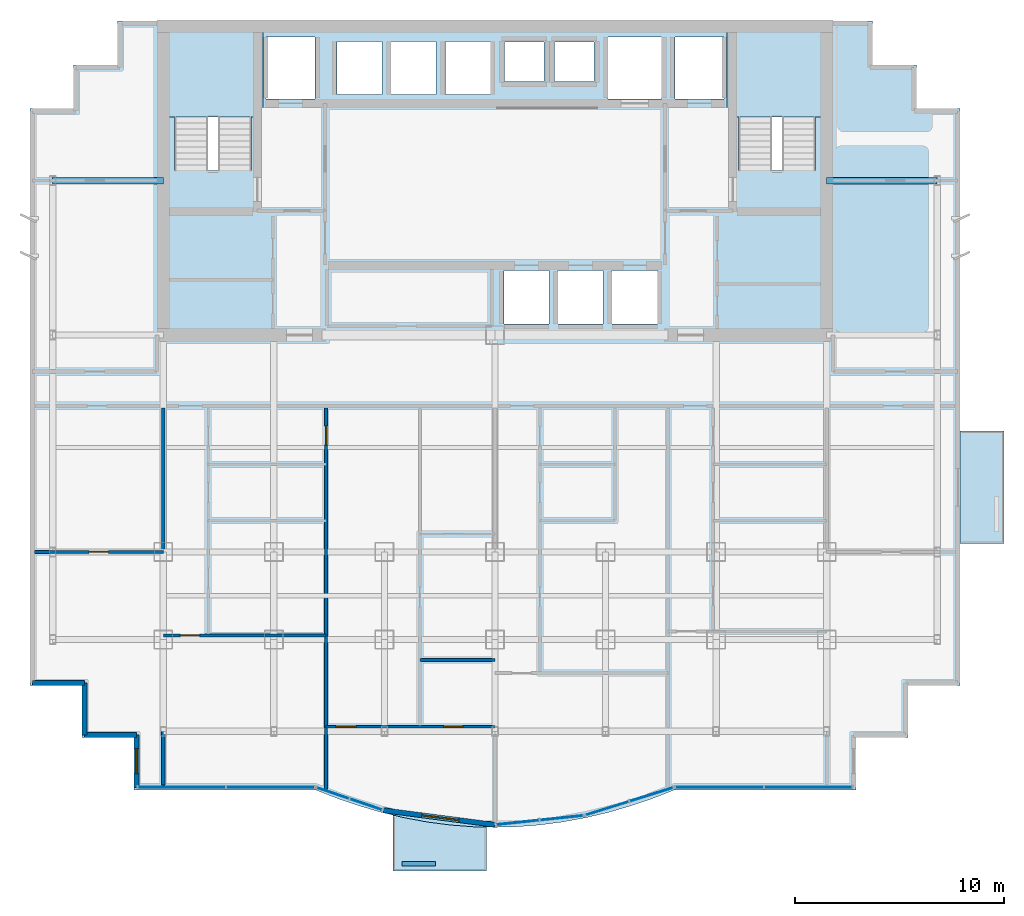
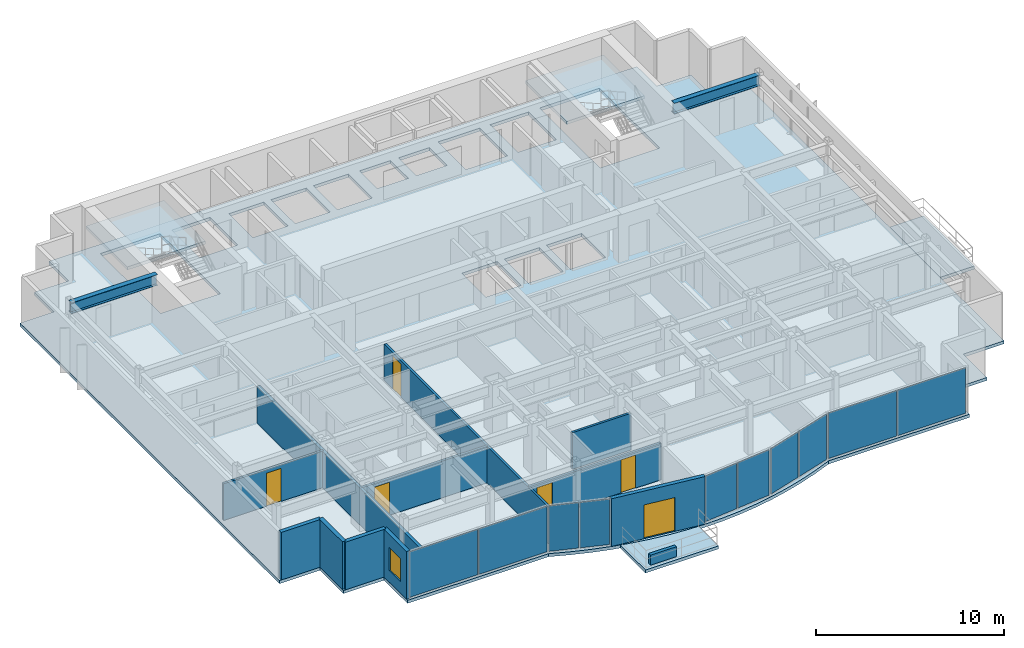
# One storey, part 5 of 11: 12 walls, 10 plates, 6 doors, 5 slabs, 2 beams, 1 window, 7 openings, 7 elements without a shape of their own.
"""IFC4 building model written with IfcOpenShell, lengths in metres."""

from ifc_helpers import new_model, si_unit, direction, frame, frame_2d, origin, origin_2d, place, context, subcontext, project, spatial, polyline, rectangle, i_section, outline, extrude, source, transform, mapped, material, layer, layer_set, material_profile, profile_set, type_object, element, fill, aggregate, save


model = new_model("IFC4")

# Units and contexts
model_context = context("Model", 3, precision=1e-05, world=origin(), true_north=direction((0.0, 1.0)))
body_context = subcontext(model_context, "Body", "Model", "MODEL_VIEW")
ifc_project = project(units=[si_unit("LENGTHUNIT", "METRE"), si_unit("AREAUNIT", "SQUARE_METRE"), si_unit("VOLUMEUNIT", "CUBIC_METRE"), si_unit("PLANEANGLEUNIT", "RADIAN"), si_unit("MASSUNIT", "GRAM", prefix="KILO")], contexts=[model_context])

# Site, building, storey
site_placement = place(None, origin())
site = spatial("IfcSite", under=ifc_project, at=site_placement, CompositionType="ELEMENT")
building_placement = place(site_placement, origin())
building = spatial("IfcBuilding", under=site, at=building_placement, Name="Qianlan Lanfeng Residences", CompositionType="ELEMENT")
storey_placement = place(building_placement, frame((0.0, 0.0, 149.10009765625)))
storey = spatial("IfcBuildingStorey", under=building, at=storey_placement, Name="L40", CompositionType="ELEMENT", Elevation=149.10009765625)

# Beams
ifc_material_1 = material(Name="Steel SN490B", Category="steel")
ifc_material_profile = material_profile(ifc_material_1, i_section(OverallWidth=0.300048828125, OverallDepth=0.699951171875, WebThickness=0.012939453125, FlangeThickness=0.02392578125, at=origin_2d()), Name="H 700x300x13x24")
ifc_profile_set = profile_set([ifc_material_profile], Name="Steel SN490B")
beam_type = type_object("IfcBeamType", Name="G-750", PredefinedType="BEAM", material=ifc_profile_set)
for number, where, z_axis, x_axis, name in (
    (1, (5.300048828125, 32.60009765625, 2.75), (1.0, 0.0, 0.0), (0.0, 1.0, 0.0), "Structural beam G-750"),
    (2, (42.39990234375, 32.60009765625, 2.75), (1.0, 0.0, 0.0), (0.0, 1.0, 0.0), "Structural beam G-750"),
):
    element("IfcBeam", number, at=place(storey_placement, frame(where, z_axis=z_axis, x_axis=x_axis)), inside=storey, type_object=beam_type, Name=name, PredefinedType="BEAM", context=body_context, shape_type="SweptSolid", body=[
        extrude(i_section(OverallWidth=0.300048828125, OverallDepth=0.699951171875, WebThickness=0.012939453125, FlangeThickness=0.02392578125, at=origin_2d()), origin(), (0.0, 0.0, 1.0), 5.300048828125),
    ])

# Slabs
ifc_material_2 = material(Name="Concrete C42", Category="concrete")
ifc_layer_1 = layer(ifc_material_2, 0.199951171875)
ifc_layer_set_1 = layer_set([ifc_layer_1], Name="Concrete C42")
slab_type_1 = type_object("IfcSlabType", Name="S-BAL-200", PredefinedType="FLOOR", material=ifc_layer_set_1)
slab_1_placement = place(storey_placement, frame((0.0, 0.0, -0.2001953125)))
element("IfcSlab", 3, at=slab_1_placement, inside=storey, type_object=slab_type_1, Name="L40 Planted Tree Balcony Slab SB-C", PredefinedType="FLOOR", context=body_context, shape_type="SweptSolid", body=[
    extrude(outline(polyline([(26.10009765625, 1.610107421875), (25.422119140625, 1.6279296875), (24.344970703125, 1.712890625), (23.26708984375, 1.85302734375), (22.18994140625, 2.050048828125), (21.60009765625, 2.18798828125), (21.60009765625, -0.5), (26.10009765625, -0.5), (26.10009765625, 1.610107421875)])), origin(), (0.0, 0.0, 1.0), 0.2001953125),
])
slab_2_placement = place(storey_placement, frame((0.0, 0.0, -0.2001953125)))
element("IfcSlab", 4, at=slab_2_placement, inside=storey, type_object=slab_type_1, Name="L40 Planted Tree Balcony Slab EB-S", PredefinedType="FLOOR", context=body_context, shape_type="SweptSolid", body=[
    extrude(outline(polyline([(48.800048828125, 20.60009765625), (48.800048828125, 15.199951171875), (50.89990234375, 15.199951171875), (50.89990234375, 20.60009765625), (48.800048828125, 20.60009765625)])), origin(), (0.0, 0.0, 1.0), 0.2001953125),
])
ifc_layer_2 = layer(ifc_material_2, 0.199951171875)
ifc_layer_set_2 = layer_set([ifc_layer_2], Name="Concrete C42")
slab_type_2 = type_object("IfcSlabType", Name="S-FL-200", PredefinedType="FLOOR", material=ifc_layer_set_2)
slab_3_placement = place(storey_placement, frame((0.0, 0.0, -0.2001953125)))
element("IfcSlab", 5, at=slab_3_placement, inside=storey, type_object=slab_type_2, Name="L40 Structural Floor Slab", PredefinedType="FLOOR", context=body_context, shape_type="SweptSolid", body=[
    extrude(outline(polyline([(4.199951171875, 8.39990234375), (6.699951171875, 8.39990234375), (6.699951171875, 5.89990234375), (9.199951171875, 5.89990234375), (9.199951171875, 3.39990234375), (17.8798828125, 3.39990234375), (18.95703125, 2.97802734375), (20.034912109375, 2.612060546875), (21.112060546875, 2.302978515625), (22.18994140625, 2.050048828125), (23.26708984375, 1.85302734375), (24.344970703125, 1.712890625), (25.422119140625, 1.6279296875), (26.5, 1.60009765625), (27.577880859375, 1.6279296875), (28.655029296875, 1.7119140625), (29.73193359375, 1.85302734375), (30.81005859375, 2.050048828125), (31.886962890625, 2.302978515625), (32.965087890625, 2.612060546875), (34.0419921875, 2.97802734375), (35.1201171875, 3.39990234375), (43.800048828125, 3.39990234375), (43.800048828125, 5.89990234375), (46.300048828125, 5.89990234375), (46.300048828125, 8.39990234375), (48.800048828125, 8.39990234375), (48.800048828125, 36.050048828125), (46.699951171875, 36.050048828125), (46.699951171875, 38.14990234375), (44.60009765625, 38.14990234375), (44.60009765625, 40.25), (8.39990234375, 40.25), (8.39990234375, 38.14990234375), (6.300048828125, 38.14990234375), (6.300048828125, 36.050048828125), (4.199951171875, 36.050048828125), (4.199951171875, 8.39990234375)]), holes=[polyline([(11.139892578125, 33.080078125), (11.139892578125, 39.5), (14.820068359375, 39.5), (14.820068359375, 33.080078125), (11.139892578125, 33.080078125)]), polyline([(38.179931640625, 33.080078125), (38.179931640625, 39.5), (41.860107421875, 39.5), (41.860107421875, 33.080078125), (38.179931640625, 33.080078125)]), polyline([(15.52001953125, 36.52001953125), (15.52001953125, 39.47998046875), (17.8798828125, 39.47998046875), (17.8798828125, 36.52001953125), (15.52001953125, 36.52001953125)]), polyline([(35.1201171875, 36.52001953125), (35.1201171875, 39.47998046875), (37.47998046875, 39.47998046875), (37.47998046875, 36.52001953125), (35.1201171875, 36.52001953125)]), polyline([(31.919921875, 36.52001953125), (31.919921875, 39.47998046875), (34.47998046875, 39.47998046875), (34.47998046875, 36.52001953125), (31.919921875, 36.52001953125)]), polyline([(26.919921875, 25.719970703125), (26.919921875, 28.280029296875), (29.080078125, 28.280029296875), (29.080078125, 25.719970703125), (26.919921875, 25.719970703125)]), polyline([(29.52001953125, 25.719970703125), (29.52001953125, 28.280029296875), (31.679931640625, 28.280029296875), (31.679931640625, 25.719970703125), (29.52001953125, 25.719970703125)]), polyline([(32.1201171875, 25.719970703125), (32.1201171875, 28.280029296875), (34.280029296875, 28.280029296875), (34.280029296875, 25.719970703125), (32.1201171875, 25.719970703125)]), polyline([(18.919921875, 36.719970703125), (18.919921875, 39.280029296875), (21.080078125, 39.280029296875), (21.080078125, 36.719970703125), (18.919921875, 36.719970703125)]), polyline([(21.52001953125, 36.719970703125), (21.52001953125, 39.280029296875), (23.679931640625, 39.280029296875), (23.679931640625, 36.719970703125), (21.52001953125, 36.719970703125)]), polyline([(24.1201171875, 36.719970703125), (24.1201171875, 39.280029296875), (26.280029296875, 39.280029296875), (26.280029296875, 36.719970703125), (24.1201171875, 36.719970703125)]), polyline([(26.949951171875, 37.35009765625), (26.949951171875, 39.25), (28.85009765625, 39.25), (28.85009765625, 37.35009765625), (26.949951171875, 37.35009765625)]), polyline([(29.35009765625, 37.35009765625), (29.35009765625, 39.25), (31.25, 39.25), (31.25, 37.35009765625), (29.35009765625, 37.35009765625)])]), origin(), (0.0, 0.0, 1.0), 0.2001953125),
])

# Stair, slab
stair_type = type_object("IfcStairType", Name="STR-MAIN", PredefinedType="HALF_TURN_STAIR", material=ifc_material_2)
stair_1_placement = place(storey_placement, origin())
stair_1 = element("IfcStair", 6, at=stair_1_placement, inside=storey, type_object=stair_type, Name="L40 Exit Stair ST-1", PredefinedType="HALF_TURN_STAIR")
ifc_layer_3 = layer(ifc_material_2, 0.179931640625)
ifc_layer_set_3 = layer_set([ifc_layer_3], Name="Concrete C42")
slab_type_3 = type_object("IfcSlabType", Name="S-LND-180", PredefinedType="LANDING", material=ifc_layer_set_3)
slab_4_placement = place(storey_placement, frame((0.0, 0.0, 1.449951171875)))
slab_4 = element("IfcSlab", 7, at=slab_4_placement, type_object=slab_type_3, Name="ST-1 landing 1", PredefinedType="LANDING", context=body_context, shape_type="SweptSolid", body=[
    extrude(outline(polyline([(10.580078125, 35.659912109375), (15.3798828125, 35.659912109375), (15.3798828125, 40.050048828125), (10.580078125, 40.050048828125), (10.580078125, 35.659912109375)])), origin(), (0.0, 0.0, 1.0), 0.199951171875),
])
aggregate(stair_1, [slab_4])

stair_2_placement = place(storey_placement, origin())
stair_2 = element("IfcStair", 8, at=stair_2_placement, inside=storey, type_object=stair_type, Name="L40 Exit Stair ST-2", PredefinedType="HALF_TURN_STAIR")
slab_5_placement = place(storey_placement, frame((0.0, 0.0, 1.449951171875)))
slab_5 = element("IfcSlab", 9, at=slab_5_placement, type_object=slab_type_3, Name="ST-2 landing 1", PredefinedType="LANDING", context=body_context, shape_type="SweptSolid", body=[
    extrude(outline(polyline([(37.6201171875, 35.659912109375), (42.419921875, 35.659912109375), (42.419921875, 40.050048828125), (37.6201171875, 40.050048828125), (37.6201171875, 35.659912109375)])), origin(), (0.0, 0.0, 1.0), 0.199951171875),
])
aggregate(stair_2, [slab_5])

# Curtain wall, plates
ifc_material_3 = material(Name="Anodised Bronze Aluminium 6063-T6", Category="aluminium")
ifc_layer_4 = layer(ifc_material_3, 0.219970703125)
ifc_layer_set_4 = layer_set([ifc_layer_4], Name="Anodised Bronze Aluminium 6063-T6")
curtain_wall_type = type_object("IfcCurtainWallType", Name="CW-04", PredefinedType="NOTDEFINED", material=ifc_layer_set_4)
curtain_wall_1_placement = place(storey_placement, origin())
curtain_wall_1 = element("IfcCurtainWall", 10, at=curtain_wall_1_placement, inside=storey, type_object=curtain_wall_type, Name="L40 Unitised Curtain Wall CWR-L40-01 (CW-04)", PredefinedType="NOTDEFINED")
ifc_material_4 = material(Name="Dark Bronze Tinted Insulated Glass", Category="glass")
ifc_layer_5 = layer(ifc_material_4, 0.0380859375)
ifc_layer_set_5 = layer_set([ifc_layer_5], Name="Dark Bronze Tinted Insulated Glass")
plate_type_1 = type_object("IfcPlateType", Name="PNL-GLZ-BRZ", PredefinedType="CURTAIN_PANEL", material=ifc_layer_set_5)
shared_shape_1 = source(origin(), body_context, "Body", "SweptSolid", [
    extrude(rectangle(XDim=4.180908203125, YDim=0.0380859375, at=origin_2d()), origin(), (0.0, 0.0, 1.0), 2.951904296875),
])
plate_1_placement = place(storey_placement, frame((11.484619140625, 3.52001953125, 0.07373046875), z_axis=(0.0, 0.0, 1.0), x_axis=(1.0, 0.0, 0.0)))
plate_1 = element("IfcPlate", 11, at=plate_1_placement, type_object=plate_type_1, Name="CWR-L40-01 Curtain Panel 1", PredefinedType="CURTAIN_PANEL", context=body_context, shape_type="MappedRepresentation", body=[
    mapped(shared_shape_1, transform((0.0, 0.0, 0.0), scale=1.0)),
])
plate_2_placement = place(storey_placement, frame((15.738525390625, 3.52001953125, 0.07373046875), z_axis=(0.0, 0.0, 1.0), x_axis=(1.0, 0.0, 0.0)))
plate_2 = element("IfcPlate", 12, at=plate_2_placement, type_object=plate_type_1, Name="CWR-L40-01 Curtain Panel 2", PredefinedType="CURTAIN_PANEL", context=body_context, shape_type="MappedRepresentation", body=[
    mapped(shared_shape_1, transform((0.0, 0.0, 0.0), scale=1.0)),
])
aggregate(curtain_wall_1, [plate_1, plate_2])

curtain_wall_2_placement = place(storey_placement, origin())
curtain_wall_2 = element("IfcCurtainWall", 13, at=curtain_wall_2_placement, inside=storey, type_object=curtain_wall_type, Name="L40 Unitised Curtain Wall CWR-L40-05 (CW-04)", PredefinedType="NOTDEFINED")
plate_3_placement = place(storey_placement, frame((37.261474609375, 3.52001953125, 0.07373046875), z_axis=(0.0, 0.0, 1.0), x_axis=(1.0, 0.0, 0.0)))
plate_3 = element("IfcPlate", 14, at=plate_3_placement, type_object=plate_type_1, Name="CWR-L40-05 Curtain Panel 1", PredefinedType="CURTAIN_PANEL", context=body_context, shape_type="MappedRepresentation", body=[
    mapped(shared_shape_1, transform((0.0, 0.0, 0.0), scale=1.0)),
])
plate_4_placement = place(storey_placement, frame((41.515380859375, 3.52001953125, 0.07373046875), z_axis=(0.0, 0.0, 1.0), x_axis=(1.0, 0.0, 0.0)))
plate_4 = element("IfcPlate", 15, at=plate_4_placement, type_object=plate_type_1, Name="CWR-L40-05 Curtain Panel 2", PredefinedType="CURTAIN_PANEL", context=body_context, shape_type="MappedRepresentation", body=[
    mapped(shared_shape_1, transform((0.0, 0.0, 0.0), scale=1.0)),
])
aggregate(curtain_wall_2, [plate_3, plate_4])

curtain_wall_3_placement = place(storey_placement, origin())
curtain_wall_3 = element("IfcCurtainWall", 16, at=curtain_wall_3_placement, inside=storey, type_object=curtain_wall_type, Name="L40 Unitised Curtain Wall CWR-L40-02 (CW-04)", PredefinedType="NOTDEFINED")
shared_shape_2 = source(origin(), body_context, "Body", "SweptSolid", [
    extrude(rectangle(XDim=1.60009765625, YDim=0.0380859375, at=origin_2d()), origin(), (0.0, 0.0, 1.0), 2.951904296875),
])
plate_5_placement = place(storey_placement, frame((18.73046875, 3.23876953125, 0.07373046875), z_axis=(0.0, 0.0, 1.0), x_axis=(0.946795963885, -0.321834433787, 0.0)))
plate_5 = element("IfcPlate", 17, at=plate_5_placement, type_object=plate_type_1, Name="CWR-L40-02 Curtain Panel 1", PredefinedType="CURTAIN_PANEL", context=body_context, shape_type="MappedRepresentation", body=[
    mapped(shared_shape_2, transform((0.0, 0.0, 0.0), scale=1.0)),
])
ifc_material_5 = material(Name="Perforated Champagne Gold Aluminium Panel", Category="aluminium")
ifc_layer_6 = layer(ifc_material_5, 0.0400390625)
ifc_layer_set_6 = layer_set([ifc_layer_6], Name="Perforated Champagne Gold Aluminium Panel")
plate_type_2 = type_object("IfcPlateType", Name="PNL-PRF-GLD", PredefinedType="CURTAIN_PANEL", material=ifc_layer_set_6)
shared_shape_3 = source(origin(), body_context, "Body", "SweptSolid", [
    extrude(rectangle(XDim=1.60009765625, YDim=0.0400390625, at=origin_2d()), origin(), (0.0, 0.0, 1.0), 2.951904296875),
])
plate_6_placement = place(storey_placement, frame((20.314453125, 2.7001953125, 0.07373046875), z_axis=(0.0, 0.0, 1.0), x_axis=(0.946795963885, -0.321834433787, 0.0)))
plate_6 = element("IfcPlate", 18, at=plate_6_placement, type_object=plate_type_2, Name="CWR-L40-02 Curtain Panel 2", PredefinedType="CURTAIN_PANEL", context=body_context, shape_type="MappedRepresentation", body=[
    mapped(shared_shape_3, transform((0.0, 0.0, 0.0), scale=1.0)),
])
aggregate(curtain_wall_3, [plate_5, plate_6])

curtain_wall_4_placement = place(storey_placement, origin())
curtain_wall_4 = element("IfcCurtainWall", 19, at=curtain_wall_4_placement, inside=storey, type_object=curtain_wall_type, Name="L40 Unitised Curtain Wall CWR-L40-03 (CW-04)", PredefinedType="NOTDEFINED")
shared_shape_4 = source(origin(), body_context, "Body", "SweptSolid", [
    extrude(rectangle(XDim=2.043701171875, YDim=0.0380859375, at=origin_2d()), origin(), (0.0, 0.0, 1.0), 2.951904296875),
])
plate_7_placement = place(storey_placement, frame((27.58984375, 1.833984375, 0.07373046875), z_axis=(0.0, 0.0, 1.0), x_axis=(0.994579031105, 0.103983416397, 0.0)))
plate_7 = element("IfcPlate", 20, at=plate_7_placement, type_object=plate_type_1, Name="CWR-L40-03 Curtain Panel 1", PredefinedType="CURTAIN_PANEL", context=body_context, shape_type="MappedRepresentation", body=[
    mapped(shared_shape_4, transform((0.0, 0.0, 0.0), scale=1.0)),
])
plate_8_placement = place(storey_placement, frame((29.695068359375, 2.05419921875, 0.07373046875), z_axis=(0.0, 0.0, 1.0), x_axis=(0.994579031105, 0.103983416397, 0.0)))
plate_8 = element("IfcPlate", 21, at=plate_8_placement, type_object=plate_type_1, Name="CWR-L40-03 Curtain Panel 2", PredefinedType="CURTAIN_PANEL", context=body_context, shape_type="MappedRepresentation", body=[
    mapped(shared_shape_4, transform((0.0, 0.0, 0.0), scale=1.0)),
])
aggregate(curtain_wall_4, [plate_7, plate_8])

curtain_wall_5_placement = place(storey_placement, origin())
curtain_wall_5 = element("IfcCurtainWall", 22, at=curtain_wall_5_placement, inside=storey, type_object=curtain_wall_type, Name="L40 Unitised Curtain Wall CWR-L40-04 (CW-04)", PredefinedType="NOTDEFINED")
shared_shape_5 = source(origin(), body_context, "Body", "SweptSolid", [
    extrude(rectangle(XDim=2.14892578125, YDim=0.0380859375, at=origin_2d()), origin(), (0.0, 0.0, 1.0), 2.951904296875),
])
plate_9_placement = place(storey_placement, frame((31.880859375, 2.51171875, 0.07373046875), z_axis=(0.0, 0.0, 1.0), x_axis=(0.954195954421, 0.299182353367, 0.0)))
plate_9 = element("IfcPlate", 23, at=plate_9_placement, type_object=plate_type_1, Name="CWR-L40-04 Curtain Panel 1", PredefinedType="CURTAIN_PANEL", context=body_context, shape_type="MappedRepresentation", body=[
    mapped(shared_shape_5, transform((0.0, 0.0, 0.0), scale=1.0)),
])
shared_shape_6 = source(origin(), body_context, "Body", "SweptSolid", [
    extrude(rectangle(XDim=2.14892578125, YDim=0.0400390625, at=origin_2d()), origin(), (0.0, 0.0, 1.0), 2.951904296875),
])
plate_10_placement = place(storey_placement, frame((34.001220703125, 3.176513671875, 0.07373046875), z_axis=(0.0, 0.0, 1.0), x_axis=(0.954195954421, 0.299182353367, 0.0)))
plate_10 = element("IfcPlate", 24, at=plate_10_placement, type_object=plate_type_2, Name="CWR-L40-04 Curtain Panel 2", PredefinedType="CURTAIN_PANEL", context=body_context, shape_type="MappedRepresentation", body=[
    mapped(shared_shape_6, transform((0.0, 0.0, 0.0), scale=1.0)),
])
aggregate(curtain_wall_5, [plate_9, plate_10])

# Walls
ifc_layer_7 = layer(ifc_material_2, 0.239990234375)
ifc_layer_set_7 = layer_set([ifc_layer_7], Name="Concrete C42")
wall_type_1 = type_object("IfcWallType", Name="EW-240", PredefinedType="SOLIDWALL", material=ifc_layer_set_7)
for number, where, z_axis, x_axis, name in (
    (25, (4.320068359375, 8.52001953125, 0.0), (0.0, 0.0, 1.0), (1.0, 0.0, 0.0), "L40 Exterior Facade Spandrel Wall 1"),
    (26, (6.820068359375, 8.52001953125, 0.0), (0.0, 0.0, 1.0), (0.0, -1.0, 0.0), "L40 Exterior Facade Spandrel Wall 2"),
    (27, (6.820068359375, 6.02001953125, 0.0), (0.0, 0.0, 1.0), (1.0, 0.0, 0.0), "L40 Exterior Facade Spandrel Wall 3"),
):
    element("IfcWall", number, at=place(storey_placement, frame(where, z_axis=z_axis, x_axis=x_axis)), inside=storey, type_object=wall_type_1, Name=name, PredefinedType="SOLIDWALL", context=body_context, shape_type="SweptSolid", body=[
        extrude(rectangle(XDim=2.5, YDim=0.239990234375, at=frame_2d((1.25, 0.0))), origin(), (0.0, 0.0, 1.0), 3.099853515625),
    ])

# Wall, opening, window
wall_1_placement = place(storey_placement, frame((9.320068359375, 6.02001953125, 0.0), z_axis=(0.0, 0.0, 1.0), x_axis=(0.0, -1.0, 0.0)))
wall_1 = element("IfcWall", 28, at=wall_1_placement, inside=storey, type_object=wall_type_1, Name="L40 Exterior Facade Spandrel Wall 4", PredefinedType="SOLIDWALL", context=body_context, shape_type="SweptSolid", body=[
    extrude(rectangle(XDim=2.5, YDim=0.239990234375, at=frame_2d((1.25, 0.0))), origin(), (0.0, 0.0, 1.0), 3.099853515625),
])
opening_1_placement = place(wall_1_placement, frame((0.64990234375, 0.0, 0.75)))
opening_1 = element("IfcOpeningElement", 29, at=opening_1_placement, cuts=wall_1, Name="Opening W-03", PredefinedType="OPENING", context=body_context, shape_type="SweptSolid", body=[
    extrude(rectangle(XDim=1.199951171875, YDim=1.5, at=frame_2d((0.60009765625, 0.75))), frame((0.0, 0.1298828125, 0.0), z_axis=(0.0, -1.0, 0.0), x_axis=(1.0, 0.0, 0.0)), (0.0, 0.0, 1.0), 0.260009765625),
])
ifc_material_6 = material(Name="Anodised Bronze Aluminium Framed Double Glazing", Category="aluminium")
window_type = type_object("IfcWindowType", Name="W-03", PartitioningType="SINGLE_PANEL", PredefinedType="WINDOW", material=ifc_material_6)
window_placement = place(opening_1_placement, origin())
window = element("IfcWindow", 30, at=window_placement, inside=storey, type_object=window_type, Name="L40 Facade Punched Window W-03", OverallHeight=1.5, OverallWidth=1.199951171875, PartitioningType="SINGLE_PANEL", PredefinedType="WINDOW", context=body_context, shape_type="SweptSolid", body=[
    extrude(rectangle(XDim=1.199951171875, YDim=1.5, at=frame_2d((0.60009765625, 0.75))), frame((0.0, 0.030029296875, 0.0), z_axis=(0.0, -1.0, 0.0), x_axis=(1.0, 0.0, 0.0)), (0.0, 0.0, 1.0), 0.06005859375),
])
fill(opening_1, window)

# Wall, opening, door
wall_2_placement = place(storey_placement, frame((21.14208984375, 2.4189453125, 0.0), z_axis=(0.0, 0.0, 1.0), x_axis=(0.991597639478, -0.129360432053, 0.0)))
wall_2 = element("IfcWall", 31, at=wall_2_placement, inside=storey, type_object=wall_type_1, Name="L40 Terrace/Balcony Access Exterior Wall 5", PredefinedType="SOLIDWALL", context=body_context, shape_type="SweptSolid", body=[
    extrude(rectangle(XDim=5.4033203125, YDim=0.239990234375, at=frame_2d((2.70166015625, 0.0))), origin(), (0.0, 0.0, 1.0), 3.099853515625),
])
opening_2_placement = place(wall_2_placement, frame((1.863037109375, 0.0, 0.0)))
opening_2 = element("IfcOpeningElement", 32, at=opening_2_placement, cuts=wall_2, Name="Opening L40-D-SB-C", PredefinedType="OPENING", context=body_context, shape_type="SweptSolid", body=[
    extrude(rectangle(XDim=1.800048828125, YDim=2.199951171875, at=frame_2d((0.89990234375, 1.10009765625))), frame((0.0, 0.1298828125, 0.0), z_axis=(0.0, -1.0, 0.0), x_axis=(1.0, 0.0, 0.0)), (0.0, 0.0, 1.0), 0.260009765625),
])
ifc_material_7 = material(Name="Anodised Bronze Aluminium Framed Glass", Category="aluminium")
door_type_1 = type_object("IfcDoorType", Name="DT-BAL1", OperationType="NOTDEFINED", PredefinedType="DOOR", material=ifc_material_7)
door_1_placement = place(opening_2_placement, frame((1.800048828125, 0.0, 0.0), z_axis=(0.0, 0.0, 1.0), x_axis=(-1.0, 0.0, 0.0)))
door_1 = element("IfcDoor", 33, at=door_1_placement, inside=storey, type_object=door_type_1, Name="L40 Exterior Access Door SB-C", OperationType="DOUBLE_DOOR_SLIDING", OverallHeight=2.199951171875, OverallWidth=1.800048828125, PredefinedType="DOOR", context=body_context, shape_type="SweptSolid", body=[
    extrude(rectangle(XDim=1.800048828125, YDim=2.199951171875, at=frame_2d((0.89990234375, 1.10009765625))), frame((0.0, 0.02490234375, 0.0), z_axis=(0.0, -1.0, 0.0), x_axis=(1.0, 0.0, 0.0)), (0.0, 0.0, 1.0), 0.050048828125),
])
fill(opening_2, door_1)

# Wall
ifc_layer_8 = layer(ifc_material_2, 0.199951171875)
ifc_layer_set_8 = layer_set([ifc_layer_8], Name="Concrete C42")
wall_type_2 = type_object("IfcWallType", Name="PL-TREE-200", PredefinedType="PARAPET", material=ifc_layer_set_8)
wall_3_placement = place(storey_placement, frame((22.050048828125, -0.14990234375, 0.0), z_axis=(0.0, 0.0, 1.0), x_axis=(1.0, 0.0, 0.0)))
element("IfcWall", 34, at=wall_3_placement, inside=storey, type_object=wall_type_2, Name="L40 Balcony Tree Planter Curb SB-C", PredefinedType="PARAPET", context=body_context, shape_type="SweptSolid", body=[
    extrude(rectangle(XDim=1.599853515625, YDim=0.199951171875, at=frame_2d((0.7998046875, 0.0))), origin(), (0.0, 0.0, 1.0), 0.64990234375),
])

# Wall, opening, door
ifc_material_8 = material(Name="Moisture-Resistant Gypsum Partition 135 mm")
ifc_layer_9 = layer(ifc_material_8, 0.135009765625)
ifc_layer_set_9 = layer_set([ifc_layer_9], Name="Moisture-Resistant Gypsum Partition 135 mm")
wall_type_3 = type_object("IfcWallType", Name="PW-135", PredefinedType="PARTITIONING", material=ifc_layer_set_9)
wall_4_placement = place(storey_placement, frame((18.39990234375, 3.43310546875, 0.0), z_axis=(0.0, 0.0, 1.0), x_axis=(0.0, 1.0, 0.0)))
wall_4 = element("IfcWall", 35, at=wall_4_placement, inside=storey, type_object=wall_type_3, Name="L40 U01 Bay Spine Wall 1", PredefinedType="PARTITIONING", context=body_context, shape_type="SweptSolid", body=[
    extrude(rectangle(XDim=18.266845703125, YDim=0.135009765625, at=frame_2d((9.13330078125, 0.0))), origin(), (0.0, 0.0, 1.0), 2.3798828125),
])
opening_3_placement = place(wall_4_placement, frame((16.48193359375, 0.0, 0.0)))
opening_3 = element("IfcOpeningElement", 36, at=opening_3_placement, cuts=wall_4, Name="Opening L40-D17", PredefinedType="OPENING", context=body_context, shape_type="SweptSolid", body=[
    extrude(rectangle(XDim=0.919921875, YDim=2.14990234375, at=frame_2d((0.4599609375, 1.074951171875))), frame((0.0, 0.07763671875, 0.0), z_axis=(0.0, -1.0, 0.0), x_axis=(1.0, 0.0, 0.0)), (0.0, 0.0, 1.0), 0.155029296875),
])
ifc_material_9 = material(Name="Glazed Timber Kitchen/Study Door", Category="wood")
door_type_2 = type_object("IfcDoorType", Name="DT-INT", OperationType="NOTDEFINED", PredefinedType="DOOR", material=ifc_material_9)
door_2_placement = place(opening_3_placement, origin())
door_2 = element("IfcDoor", 37, at=door_2_placement, inside=storey, type_object=door_type_2, Name="L40 U01 Internal Hall Door L40-D17 (DT-INT)", OperationType="SINGLE_SWING_LEFT", OverallHeight=2.14990234375, OverallWidth=0.919921875, PredefinedType="DOOR", context=body_context, shape_type="SweptSolid", body=[
    extrude(rectangle(XDim=0.919921875, YDim=2.14990234375, at=frame_2d((0.4599609375, 1.074951171875))), frame((0.0, 0.02490234375, 0.0), z_axis=(0.0, -1.0, 0.0), x_axis=(1.0, 0.0, 0.0)), (0.0, 0.0, 1.0), 0.050048828125),
])
fill(opening_3, door_2)

wall_5_placement = place(storey_placement, frame((10.60009765625, 10.799072265625, 0.0), z_axis=(0.0, 0.0, 1.0), x_axis=(1.0, 0.0, 0.0)))
wall_5 = element("IfcWall", 38, at=wall_5_placement, inside=storey, type_object=wall_type_3, Name="L40 U01 Living Divider", PredefinedType="PARTITIONING", context=body_context, shape_type="SweptSolid", body=[
    extrude(rectangle(XDim=7.7998046875, YDim=0.135009765625, at=frame_2d((3.89990234375, 0.0))), origin(), (0.0, 0.0, 1.0), 2.3798828125),
])
opening_4_placement = place(wall_5_placement, frame((0.81494140625, 0.0, 0.0)))
opening_4 = element("IfcOpeningElement", 39, at=opening_4_placement, cuts=wall_5, Name="Opening L40-D18", PredefinedType="OPENING", context=body_context, shape_type="SweptSolid", body=[
    extrude(rectangle(XDim=0.919921875, YDim=2.14990234375, at=frame_2d((0.4599609375, 1.074951171875))), frame((0.0, 0.07763671875, 0.0), z_axis=(0.0, -1.0, 0.0), x_axis=(1.0, 0.0, 0.0)), (0.0, 0.0, 1.0), 0.155029296875),
])
door_3_placement = place(opening_4_placement, origin())
door_3 = element("IfcDoor", 40, at=door_3_placement, inside=storey, type_object=door_type_2, Name="L40 U01 Living Passage Door L40-D18 (DT-INT)", OperationType="SINGLE_SWING_LEFT", OverallHeight=2.14990234375, OverallWidth=0.919921875, PredefinedType="DOOR", context=body_context, shape_type="SweptSolid", body=[
    extrude(rectangle(XDim=0.919921875, YDim=2.14990234375, at=frame_2d((0.4599609375, 1.074951171875))), frame((0.0, 0.02490234375, 0.0), z_axis=(0.0, -1.0, 0.0), x_axis=(1.0, 0.0, 0.0)), (0.0, 0.0, 1.0), 0.050048828125),
])
fill(opening_4, door_3)

# Wall, openings, doors
wall_6_placement = place(storey_placement, frame((18.39990234375, 6.424072265625, 0.0), z_axis=(0.0, 0.0, 1.0), x_axis=(1.0, 0.0, 0.0)))
wall_6 = element("IfcWall", 41, at=wall_6_placement, inside=storey, type_object=wall_type_3, Name="L40 U01 Master Bedroom North Wall", PredefinedType="PARTITIONING", context=body_context, shape_type="SweptSolid", body=[
    extrude(rectangle(XDim=8.10009765625, YDim=0.135009765625, at=frame_2d((4.050048828125, 0.0))), origin(), (0.0, 0.0, 1.0), 2.3798828125),
])
opening_5_placement = place(wall_6_placement, frame((0.47509765625, 0.0, 0.0)))
opening_5 = element("IfcOpeningElement", 42, at=opening_5_placement, cuts=wall_6, Name="Opening L40-D22", PredefinedType="OPENING", context=body_context, shape_type="SweptSolid", body=[
    extrude(rectangle(XDim=0.949951171875, YDim=2.14990234375, at=frame_2d((0.47509765625, 1.074951171875))), frame((0.0, 0.07763671875, 0.0), z_axis=(0.0, -1.0, 0.0), x_axis=(1.0, 0.0, 0.0)), (0.0, 0.0, 1.0), 0.155029296875),
])
opening_6_placement = place(wall_6_placement, frame((5.64990234375, 0.0, 0.0)))
opening_6 = element("IfcOpeningElement", 43, at=opening_6_placement, cuts=wall_6, Name="Opening L40-D23", PredefinedType="OPENING", context=body_context, shape_type="SweptSolid", body=[
    extrude(rectangle(XDim=0.89990234375, YDim=2.14990234375, at=frame_2d((0.449951171875, 1.074951171875))), frame((0.0, 0.07763671875, 0.0), z_axis=(0.0, -1.0, 0.0), x_axis=(1.0, 0.0, 0.0)), (0.0, 0.0, 1.0), 0.155029296875),
])
ifc_material_10 = material(Name="Painted Solid-Core Timber Leaf", Category="wood")
door_type_3 = type_object("IfcDoorType", Name="DT-BED", OperationType="NOTDEFINED", PredefinedType="DOOR", material=ifc_material_10)
door_4_placement = place(opening_5_placement, origin())
door_4 = element("IfcDoor", 44, at=door_4_placement, inside=storey, type_object=door_type_3, Name="L40 U01 Master Bedroom Door L40-D22 (DT-BED)", OperationType="SINGLE_SWING_RIGHT", OverallHeight=2.14990234375, OverallWidth=0.949951171875, PredefinedType="DOOR", context=body_context, shape_type="SweptSolid", body=[
    extrude(rectangle(XDim=0.949951171875, YDim=2.14990234375, at=frame_2d((0.47509765625, 1.074951171875))), frame((0.0, 0.02490234375, 0.0), z_axis=(0.0, -1.0, 0.0), x_axis=(1.0, 0.0, 0.0)), (0.0, 0.0, 1.0), 0.050048828125),
])
fill(opening_5, door_4)
ifc_material_11 = material(Name="Moisture-Resistant Timber Leaf", Category="wood")
door_type_4 = type_object("IfcDoorType", Name="DT-WC", OperationType="NOTDEFINED", PredefinedType="DOOR", material=ifc_material_11)
door_5_placement = place(opening_6_placement, origin())
door_5 = element("IfcDoor", 45, at=door_5_placement, inside=storey, type_object=door_type_4, Name="L40 U01 En-Suite Bathroom Door L40-D23 (DT-WC)", OperationType="SINGLE_SWING_LEFT", OverallHeight=2.14990234375, OverallWidth=0.89990234375, PredefinedType="DOOR", context=body_context, shape_type="SweptSolid", body=[
    extrude(rectangle(XDim=0.89990234375, YDim=2.14990234375, at=frame_2d((0.449951171875, 1.074951171875))), frame((0.0, 0.02490234375, 0.0), z_axis=(0.0, -1.0, 0.0), x_axis=(1.0, 0.0, 0.0)), (0.0, 0.0, 1.0), 0.050048828125),
])
fill(opening_6, door_5)

# Wall
wall_7_placement = place(storey_placement, frame((22.89990234375, 9.6240234375, 0.0), z_axis=(0.0, 0.0, 1.0), x_axis=(1.0, 0.0, 0.0)))
element("IfcWall", 46, at=wall_7_placement, inside=storey, type_object=wall_type_3, Name="L40 U01 En-Suite North Wall", PredefinedType="PARTITIONING", context=body_context, shape_type="SweptSolid", body=[
    extrude(rectangle(XDim=3.60009765625, YDim=0.135009765625, at=frame_2d((1.800048828125, 0.0))), origin(), (0.0, 0.0, 1.0), 2.3798828125),
])

# Wall, opening, door
wall_8_placement = place(storey_placement, frame((4.419921875, 14.800048828125, 0.0), z_axis=(0.0, 0.0, 1.0), x_axis=(1.0, 0.0, 0.0)))
wall_8 = element("IfcWall", 47, at=wall_8_placement, inside=storey, type_object=wall_type_3, Name="L40 SWP Mid Partition", PredefinedType="PARTITIONING", context=body_context, shape_type="SweptSolid", body=[
    extrude(rectangle(XDim=6.18017578125, YDim=0.135009765625, at=frame_2d((3.090087890625, 0.0))), origin(), (0.0, 0.0, 1.0), 2.3798828125),
])
opening_7_placement = place(wall_8_placement, frame((2.6298828125, 0.0, 0.0)))
opening_7 = element("IfcOpeningElement", 48, at=opening_7_placement, cuts=wall_8, Name="Opening L40-D36", PredefinedType="OPENING", context=body_context, shape_type="SweptSolid", body=[
    extrude(rectangle(XDim=0.919921875, YDim=2.14990234375, at=frame_2d((0.4599609375, 1.074951171875))), frame((0.0, 0.07763671875, 0.0), z_axis=(0.0, -1.0, 0.0), x_axis=(1.0, 0.0, 0.0)), (0.0, 0.0, 1.0), 0.155029296875),
])
door_6_placement = place(opening_7_placement, origin())
door_6 = element("IfcDoor", 49, at=door_6_placement, inside=storey, type_object=door_type_2, Name="L40 SWP Inner Door L40-D36 (DT-INT)", OperationType="SINGLE_SWING_RIGHT", OverallHeight=2.14990234375, OverallWidth=0.919921875, PredefinedType="DOOR", context=body_context, shape_type="SweptSolid", body=[
    extrude(rectangle(XDim=0.919921875, YDim=2.14990234375, at=frame_2d((0.4599609375, 1.074951171875))), frame((0.0, 0.02490234375, 0.0), z_axis=(0.0, -1.0, 0.0), x_axis=(1.0, 0.0, 0.0)), (0.0, 0.0, 1.0), 0.050048828125),
])
fill(opening_7, door_6)

# Wall
ifc_material_12 = material(Name="Double-Layer Acoustic Gypsum Stud Wall 180 mm")
ifc_layer_10 = layer(ifc_material_12, 0.179931640625)
ifc_layer_set_10 = layer_set([ifc_layer_10], Name="Double-Layer Acoustic Gypsum Stud Wall 180 mm")
wall_type_4 = type_object("IfcWallType", Name="PW-180", PredefinedType="PARTITIONING", material=ifc_layer_set_10)
wall_9_placement = place(storey_placement, frame((10.60009765625, 3.6201171875, 0.0), z_axis=(0.0, 0.0, 1.0), x_axis=(0.0, 1.0, 0.0)))
element("IfcWall", 50, at=wall_9_placement, inside=storey, type_object=wall_type_4, Name="L40 Wing Boundary Party Wall W0", PredefinedType="PARTITIONING", context=body_context, shape_type="SweptSolid", body=[
    extrude(rectangle(XDim=18.079833984375, YDim=0.179931640625, at=frame_2d((9.0400390625, 0.0))), origin(), (0.0, 0.0, 1.0), 2.3798828125),
])

save(model, "model.ifc")
